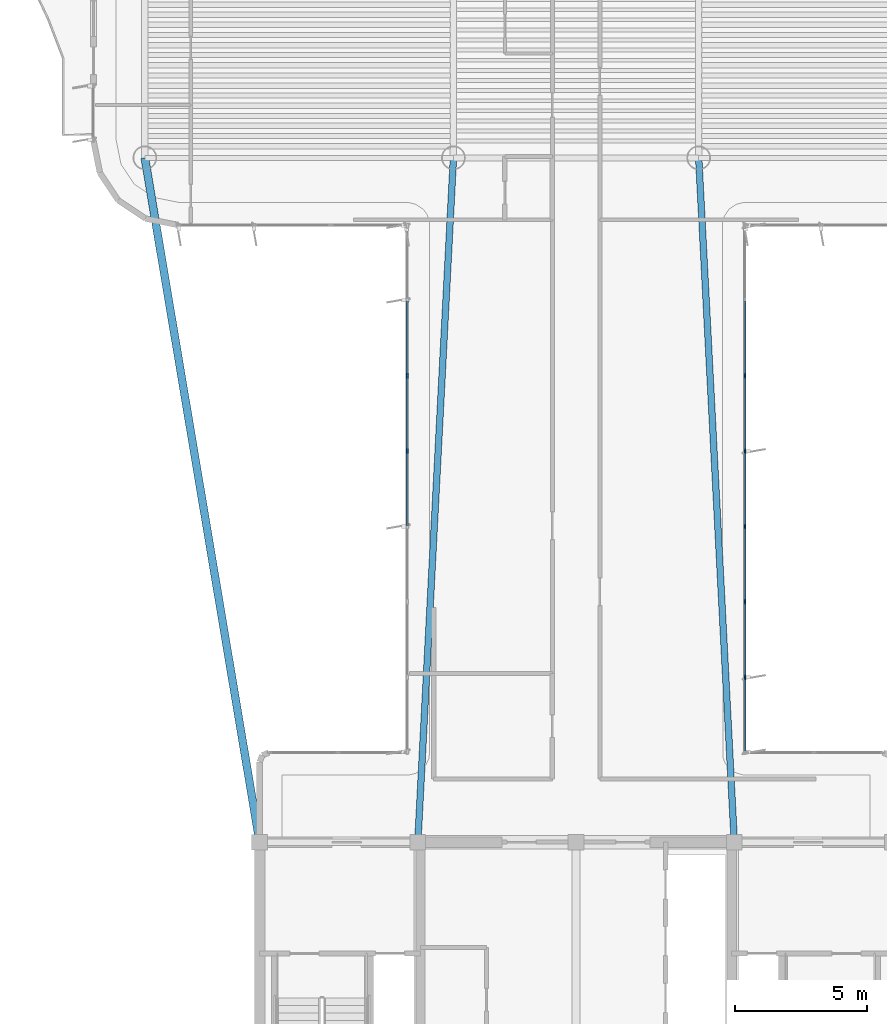
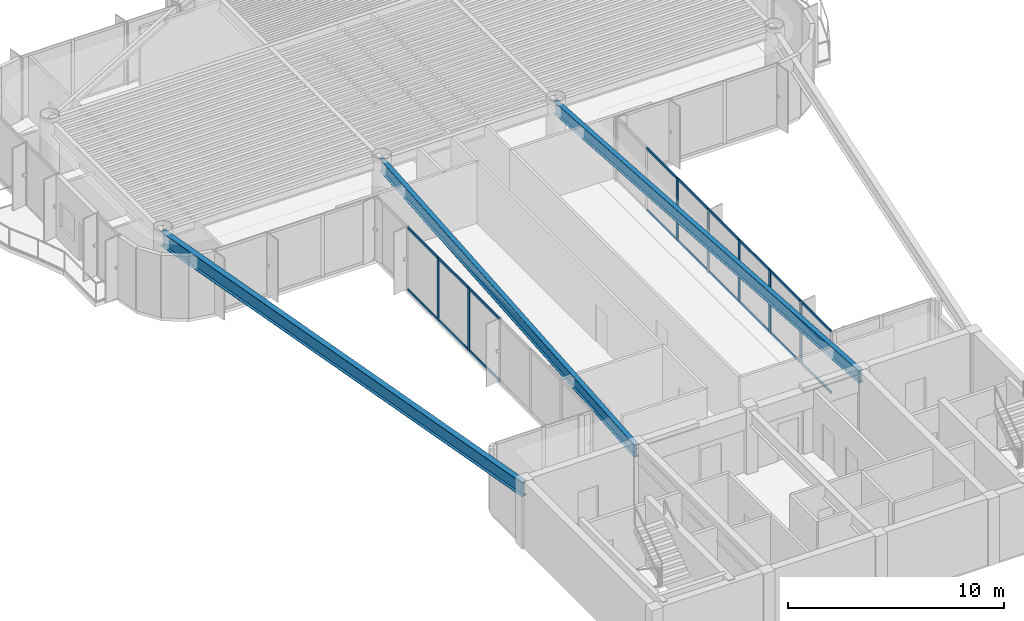
# One storey, part 3 of 15: 25 members, 3 beams, 2 elements without a shape of their own.
"""IFC4 building model written with IfcOpenShell, lengths in metres."""

from ifc_helpers import new_model, si_unit, direction, frame, origin, origin_2d, place, context, subcontext, project, spatial, rectangle, i_section, extrude, source, transform, mapped, material, layer, layer_set, material_profile, profile_set, type_object, element, aggregate, save


model = new_model("IFC4")

# Units and contexts
model_context = context("Model", 3, precision=1e-05, world=origin(), true_north=direction((0.0, 1.0)))
body_context = subcontext(model_context, "Body", "Model", "MODEL_VIEW")
ifc_project = project(units=[si_unit("LENGTHUNIT", "METRE"), si_unit("AREAUNIT", "SQUARE_METRE"), si_unit("VOLUMEUNIT", "CUBIC_METRE"), si_unit("PLANEANGLEUNIT", "RADIAN"), si_unit("MASSUNIT", "GRAM", prefix="KILO")], contexts=[model_context])

# Site, building, storey
site_placement = place(None, origin())
site = spatial("IfcSite", under=ifc_project, at=site_placement, CompositionType="ELEMENT")
building_placement = place(site_placement, origin())
building = spatial("IfcBuilding", under=site, at=building_placement, Name="Brelvock Crest Care Tower", CompositionType="ELEMENT")
storey_placement = place(building_placement, frame((0.0, 0.0, 279.719970703125)))
storey = spatial("IfcBuildingStorey", under=building, at=storey_placement, Name="L71", CompositionType="ELEMENT", Elevation=279.719970703125)

# Beams
ifc_material_1 = material(Name="Steel Grade 350", Category="steel")
ifc_material_profile_1 = material_profile(ifc_material_1, i_section(OverallWidth=0.25, OverallDepth=0.699951171875, WebThickness=0.011962890625, FlangeThickness=0.02001953125, at=origin_2d()), Name="700WB150")
ifc_profile_set_1 = profile_set([ifc_material_profile_1], Name="Steel Grade 350")
beam_type_1 = type_object("IfcBeamType", Name="BM-G4", PredefinedType="BEAM", material=ifc_profile_set_1)
shared_shape_1 = source(origin(), body_context, "Body", "SweptSolid", [
    extrude(i_section(OverallWidth=0.25, OverallDepth=0.699951171875, WebThickness=0.011962890625, FlangeThickness=0.02001953125, at=origin_2d()), origin(), (0.0, 0.0, 1.0), 25.985107421875),
])
for number, where, z_axis, x_axis, name in (
    (1, (30.0, 18.0, 3.179931640625), (0.051956711656, 0.998649337913, 0.0), (-0.998649337913, 0.051956711656, 0.0), "BM-THRW-L71"),
    (2, (42.0, 18.0, 3.179931640625), (-0.051956711656, 0.998649337913, 0.0), (-0.998649337913, -0.051956711656, 0.0), "BM-THRE-L71"),
):
    element("IfcBeam", number, at=place(storey_placement, frame(where, z_axis=z_axis, x_axis=x_axis)), inside=storey, type_object=beam_type_1, Name=name, PredefinedType="BEAM", context=body_context, shape_type="MappedRepresentation", body=[
        mapped(shared_shape_1, transform((0.0, 0.0, 0.0), x_axis=(1.0, 0.0, 0.0), y_axis=(0.0, 1.0, 0.0), z_axis=(0.0, 0.0, 1.0), scale=1.0)),
    ])
ifc_material_profile_2 = material_profile(ifc_material_1, i_section(OverallWidth=0.300048828125, OverallDepth=0.800048828125, WebThickness=0.013916015625, FlangeThickness=0.02197265625, at=origin_2d()), Name="800WB192")
ifc_profile_set_2 = profile_set([ifc_material_profile_2], Name="Steel Grade 350")
beam_type_2 = type_object("IfcBeamType", Name="BM-G5", PredefinedType="BEAM", material=ifc_profile_set_2)
shared_shape_2 = source(origin(), body_context, "Body", "SweptSolid", [
    extrude(i_section(OverallWidth=0.300048828125, OverallDepth=0.800048828125, WebThickness=0.013916015625, FlangeThickness=0.02197265625, at=origin_2d()), origin(), (0.0, 0.0, 1.0), 26.31201171875),
])
beam_placement = place(storey_placement, frame((24.0, 18.0, 3.130126953125), z_axis=(-0.165327282709, 0.986238758918, 0.0), x_axis=(-0.986238758918, -0.165327282709, 0.0)))
element("IfcBeam", 3, at=beam_placement, inside=storey, type_object=beam_type_2, Name="BM-THRO-W-L71", PredefinedType="BEAM", context=body_context, shape_type="MappedRepresentation", body=[
    mapped(shared_shape_2, transform((0.0, 0.0, 0.0), x_axis=(1.0, 0.0, 0.0), y_axis=(0.0, 1.0, 0.0), z_axis=(0.0, 0.0, 1.0), scale=1.0)),
])

# Curtain wall, members
ifc_material_2 = material(Name="Dark Glass Double Glazed Low-E", Category="glass")
ifc_layer = layer(ifc_material_2, 0.239990234375, Name="CWS-5")
ifc_layer_set = layer_set([ifc_layer], Name="Dark Glass Double Glazed Low-E")
curtain_wall_type = type_object("IfcCurtainWallType", Name="CWS-5", PredefinedType="NOTDEFINED", material=ifc_layer_set)
curtain_wall_1_placement = place(storey_placement, origin())
curtain_wall_1 = element("IfcCurtainWall", 4, at=curtain_wall_1_placement, inside=storey, type_object=curtain_wall_type, Name="L71 Curtain Wall E11", PredefinedType="NOTDEFINED")
ifc_material_3 = material(Name="Aluminium 6063-T6", Category="aluminium")
ifc_material_profile_3 = material_profile(ifc_material_3, rectangle(XDim=0.06005859375, YDim=0.179931640625, at=origin_2d()), Name="ALU60x180")
ifc_profile_set_3 = profile_set([ifc_material_profile_3], Name="Aluminium 6063-T6")
member_type_1 = type_object("IfcMemberType", Name="CWM-2", PredefinedType="MULLION", material=ifc_profile_set_3)
shared_shape_3 = source(origin(), body_context, "Body", "SweptSolid", [
    extrude(rectangle(XDim=0.06005859375, YDim=0.179931640625, at=origin_2d()), origin(), (0.0, 0.0, 1.0), 3.530029296875),
])
member_1_placement = place(storey_placement, frame((29.60009765625, 32.82861328125, 0.0), z_axis=(0.0, 0.0, 1.0), x_axis=(-1.0, 0.0, 0.0)))
member_1 = element("IfcMember", 5, at=member_1_placement, type_object=member_type_1, Name="CW-5 mullion 5", PredefinedType="MULLION", context=body_context, shape_type="MappedRepresentation", body=[
    mapped(shared_shape_3, transform((0.0, 0.0, 0.0), x_axis=(1.0, 0.0, 0.0), y_axis=(0.0, 1.0, 0.0), z_axis=(0.0, 0.0, 1.0), scale=1.0)),
])
member_2_placement = place(storey_placement, frame((29.60009765625, 35.685791015625, 0.0), z_axis=(0.0, 0.0, 1.0), x_axis=(-1.0, 0.0, 0.0)))
member_2 = element("IfcMember", 6, at=member_2_placement, type_object=member_type_1, Name="CW-5 mullion 6", PredefinedType="MULLION", context=body_context, shape_type="MappedRepresentation", body=[
    mapped(shared_shape_3, transform((0.0, 0.0, 0.0), x_axis=(1.0, 0.0, 0.0), y_axis=(0.0, 1.0, 0.0), z_axis=(0.0, 0.0, 1.0), scale=1.0)),
])

curtain_wall_2_placement = place(storey_placement, origin())
curtain_wall_2 = element("IfcCurtainWall", 7, at=curtain_wall_2_placement, inside=storey, type_object=curtain_wall_type, Name="L71 Curtain Wall E45", PredefinedType="NOTDEFINED")
member_3_placement = place(storey_placement, frame((42.39990234375, 35.685791015625, 0.0), z_axis=(0.0, 0.0, 1.0), x_axis=(1.0, 0.0, 0.0)))
member_3 = element("IfcMember", 8, at=member_3_placement, type_object=member_type_1, Name="CW-5 mullion 3", PredefinedType="MULLION", context=body_context, shape_type="MappedRepresentation", body=[
    mapped(shared_shape_3, transform((0.0, 0.0, 0.0), x_axis=(1.0, 0.0, 0.0), y_axis=(0.0, 1.0, 0.0), z_axis=(0.0, 0.0, 1.0), scale=1.0)),
])
member_4_placement = place(storey_placement, frame((42.39990234375, 32.82861328125, 0.0), z_axis=(0.0, 0.0, 1.0), x_axis=(1.0, 0.0, 0.0)))
member_4 = element("IfcMember", 9, at=member_4_placement, type_object=member_type_1, Name="CW-5 mullion 4", PredefinedType="MULLION", context=body_context, shape_type="MappedRepresentation", body=[
    mapped(shared_shape_3, transform((0.0, 0.0, 0.0), x_axis=(1.0, 0.0, 0.0), y_axis=(0.0, 1.0, 0.0), z_axis=(0.0, 0.0, 1.0), scale=1.0)),
])
member_5_placement = place(storey_placement, frame((42.39990234375, 29.971435546875, 0.0), z_axis=(0.0, 0.0, 1.0), x_axis=(1.0, 0.0, 0.0)))
member_5 = element("IfcMember", 10, at=member_5_placement, type_object=member_type_1, Name="CW-5 mullion 5", PredefinedType="MULLION", context=body_context, shape_type="MappedRepresentation", body=[
    mapped(shared_shape_3, transform((0.0, 0.0, 0.0), x_axis=(1.0, 0.0, 0.0), y_axis=(0.0, 1.0, 0.0), z_axis=(0.0, 0.0, 1.0), scale=1.0)),
])
member_6_placement = place(storey_placement, frame((42.39990234375, 27.1142578125, 0.0), z_axis=(0.0, 0.0, 1.0), x_axis=(1.0, 0.0, 0.0)))
member_6 = element("IfcMember", 11, at=member_6_placement, type_object=member_type_1, Name="CW-5 mullion 6", PredefinedType="MULLION", context=body_context, shape_type="MappedRepresentation", body=[
    mapped(shared_shape_3, transform((0.0, 0.0, 0.0), x_axis=(1.0, 0.0, 0.0), y_axis=(0.0, 1.0, 0.0), z_axis=(0.0, 0.0, 1.0), scale=1.0)),
])
member_7_placement = place(storey_placement, frame((42.39990234375, 24.257080078125, 0.0), z_axis=(0.0, 0.0, 1.0), x_axis=(1.0, 0.0, 0.0)))
member_7 = element("IfcMember", 12, at=member_7_placement, type_object=member_type_1, Name="CW-5 mullion 7", PredefinedType="MULLION", context=body_context, shape_type="MappedRepresentation", body=[
    mapped(shared_shape_3, transform((0.0, 0.0, 0.0), x_axis=(1.0, 0.0, 0.0), y_axis=(0.0, 1.0, 0.0), z_axis=(0.0, 0.0, 1.0), scale=1.0)),
])
ifc_material_profile_4 = material_profile(ifc_material_3, rectangle(XDim=0.06005859375, YDim=0.139892578125, at=origin_2d()), Name="ALU60x140")
ifc_profile_set_4 = profile_set([ifc_material_profile_4], Name="Aluminium 6063-T6")
member_type_2 = type_object("IfcMemberType", Name="CWT-2", PredefinedType="USERDEFINED", material=ifc_profile_set_4)
shared_shape_4 = source(origin(), body_context, "Body", "SweptSolid", [
    extrude(rectangle(XDim=0.06005859375, YDim=0.139892578125, at=origin_2d()), origin(), (0.0, 0.0, 1.0), 2.76708984375),
])
member_8_placement = place(storey_placement, frame((42.39990234375, 24.22705078125, 0.030029296875), z_axis=(0.0, -1.0, 0.0), x_axis=(1.0, 0.0, 0.0)))
member_8 = element("IfcMember", 13, at=member_8_placement, type_object=member_type_2, Name="CW-5 transom 7.1", ObjectType="TRANSOM", PredefinedType="USERDEFINED", context=body_context, shape_type="MappedRepresentation", body=[
    mapped(shared_shape_4, transform((0.0, 0.0, 0.0), x_axis=(1.0, 0.0, 0.0), y_axis=(0.0, 1.0, 0.0), z_axis=(0.0, 0.0, 1.0), scale=1.0)),
])
member_9_placement = place(storey_placement, frame((42.39990234375, 24.22705078125, 3.5), z_axis=(0.0, -1.0, 0.0), x_axis=(1.0, 0.0, 0.0)))
member_9 = element("IfcMember", 14, at=member_9_placement, type_object=member_type_2, Name="CW-5 transom 7.2", ObjectType="TRANSOM", PredefinedType="USERDEFINED", context=body_context, shape_type="MappedRepresentation", body=[
    mapped(shared_shape_4, transform((0.0, 0.0, 0.0), x_axis=(1.0, 0.0, 0.0), y_axis=(0.0, 1.0, 0.0), z_axis=(0.0, 0.0, 1.0), scale=1.0)),
])

# Member
shared_shape_5 = source(origin(), body_context, "Body", "SweptSolid", [
    extrude(rectangle(XDim=0.06005859375, YDim=0.139892578125, at=origin_2d()), origin(), (0.0, 0.0, 1.0), 2.797119140625),
])
member_10_placement = place(storey_placement, frame((29.60009765625, 30.00146484375, 0.030029296875), z_axis=(0.0, 1.0, 0.0), x_axis=(-1.0, 0.0, 0.0)))
member_10 = element("IfcMember", 15, at=member_10_placement, type_object=member_type_2, Name="CW-5 transom 4.1", ObjectType="TRANSOM", PredefinedType="USERDEFINED", context=body_context, shape_type="MappedRepresentation", body=[
    mapped(shared_shape_5, transform((0.0, 0.0, 0.0), x_axis=(1.0, 0.0, 0.0), y_axis=(0.0, 1.0, 0.0), z_axis=(0.0, 0.0, 1.0), scale=1.0)),
])

member_11_placement = place(storey_placement, frame((29.60009765625, 30.00146484375, 3.5), z_axis=(0.0, 1.0, 0.0), x_axis=(-1.0, 0.0, 0.0)))
member_11 = element("IfcMember", 16, at=member_11_placement, type_object=member_type_2, Name="CW-5 transom 4.2", ObjectType="TRANSOM", PredefinedType="USERDEFINED", context=body_context, shape_type="MappedRepresentation", body=[
    mapped(shared_shape_5, transform((0.0, 0.0, 0.0), x_axis=(1.0, 0.0, 0.0), y_axis=(0.0, 1.0, 0.0), z_axis=(0.0, 0.0, 1.0), scale=1.0)),
])

member_12_placement = place(storey_placement, frame((29.60009765625, 32.858642578125, 0.030029296875), z_axis=(0.0, 1.0, 0.0), x_axis=(-1.0, 0.0, 0.0)))
member_12 = element("IfcMember", 17, at=member_12_placement, type_object=member_type_2, Name="CW-5 transom 5.1", ObjectType="TRANSOM", PredefinedType="USERDEFINED", context=body_context, shape_type="MappedRepresentation", body=[
    mapped(shared_shape_5, transform((0.0, 0.0, 0.0), x_axis=(1.0, 0.0, 0.0), y_axis=(0.0, 1.0, 0.0), z_axis=(0.0, 0.0, 1.0), scale=1.0)),
])

member_13_placement = place(storey_placement, frame((29.60009765625, 32.858642578125, 3.5), z_axis=(0.0, 1.0, 0.0), x_axis=(-1.0, 0.0, 0.0)))
member_13 = element("IfcMember", 18, at=member_13_placement, type_object=member_type_2, Name="CW-5 transom 5.2", ObjectType="TRANSOM", PredefinedType="USERDEFINED", context=body_context, shape_type="MappedRepresentation", body=[
    mapped(shared_shape_5, transform((0.0, 0.0, 0.0), x_axis=(1.0, 0.0, 0.0), y_axis=(0.0, 1.0, 0.0), z_axis=(0.0, 0.0, 1.0), scale=1.0)),
])

member_14_placement = place(storey_placement, frame((29.60009765625, 35.7158203125, 0.030029296875), z_axis=(0.0, 1.0, 0.0), x_axis=(-1.0, 0.0, 0.0)))
member_14 = element("IfcMember", 19, at=member_14_placement, type_object=member_type_2, Name="CW-5 transom 6.1", ObjectType="TRANSOM", PredefinedType="USERDEFINED", context=body_context, shape_type="MappedRepresentation", body=[
    mapped(shared_shape_5, transform((0.0, 0.0, 0.0), x_axis=(1.0, 0.0, 0.0), y_axis=(0.0, 1.0, 0.0), z_axis=(0.0, 0.0, 1.0), scale=1.0)),
])

member_15_placement = place(storey_placement, frame((29.60009765625, 35.7158203125, 3.5), z_axis=(0.0, 1.0, 0.0), x_axis=(-1.0, 0.0, 0.0)))
member_15 = element("IfcMember", 20, at=member_15_placement, type_object=member_type_2, Name="CW-5 transom 6.2", ObjectType="TRANSOM", PredefinedType="USERDEFINED", context=body_context, shape_type="MappedRepresentation", body=[
    mapped(shared_shape_5, transform((0.0, 0.0, 0.0), x_axis=(1.0, 0.0, 0.0), y_axis=(0.0, 1.0, 0.0), z_axis=(0.0, 0.0, 1.0), scale=1.0)),
])

aggregate(curtain_wall_1, [member_1, member_2, member_10, member_11, member_12, member_13, member_14, member_15])

member_16_placement = place(storey_placement, frame((42.39990234375, 38.512939453125, 0.030029296875), z_axis=(0.0, -1.0, 0.0), x_axis=(1.0, 0.0, 0.0)))
member_16 = element("IfcMember", 21, at=member_16_placement, type_object=member_type_2, Name="CW-5 transom 2.1", ObjectType="TRANSOM", PredefinedType="USERDEFINED", context=body_context, shape_type="MappedRepresentation", body=[
    mapped(shared_shape_5, transform((0.0, 0.0, 0.0), x_axis=(1.0, 0.0, 0.0), y_axis=(0.0, 1.0, 0.0), z_axis=(0.0, 0.0, 1.0), scale=1.0)),
])

member_17_placement = place(storey_placement, frame((42.39990234375, 38.512939453125, 3.5), z_axis=(0.0, -1.0, 0.0), x_axis=(1.0, 0.0, 0.0)))
member_17 = element("IfcMember", 22, at=member_17_placement, type_object=member_type_2, Name="CW-5 transom 2.2", ObjectType="TRANSOM", PredefinedType="USERDEFINED", context=body_context, shape_type="MappedRepresentation", body=[
    mapped(shared_shape_5, transform((0.0, 0.0, 0.0), x_axis=(1.0, 0.0, 0.0), y_axis=(0.0, 1.0, 0.0), z_axis=(0.0, 0.0, 1.0), scale=1.0)),
])

member_18_placement = place(storey_placement, frame((42.39990234375, 35.65576171875, 0.030029296875), z_axis=(0.0, -1.0, 0.0), x_axis=(1.0, 0.0, 0.0)))
member_18 = element("IfcMember", 23, at=member_18_placement, type_object=member_type_2, Name="CW-5 transom 3.1", ObjectType="TRANSOM", PredefinedType="USERDEFINED", context=body_context, shape_type="MappedRepresentation", body=[
    mapped(shared_shape_5, transform((0.0, 0.0, 0.0), x_axis=(1.0, 0.0, 0.0), y_axis=(0.0, 1.0, 0.0), z_axis=(0.0, 0.0, 1.0), scale=1.0)),
])

member_19_placement = place(storey_placement, frame((42.39990234375, 35.65576171875, 3.5), z_axis=(0.0, -1.0, 0.0), x_axis=(1.0, 0.0, 0.0)))
member_19 = element("IfcMember", 24, at=member_19_placement, type_object=member_type_2, Name="CW-5 transom 3.2", ObjectType="TRANSOM", PredefinedType="USERDEFINED", context=body_context, shape_type="MappedRepresentation", body=[
    mapped(shared_shape_5, transform((0.0, 0.0, 0.0), x_axis=(1.0, 0.0, 0.0), y_axis=(0.0, 1.0, 0.0), z_axis=(0.0, 0.0, 1.0), scale=1.0)),
])

member_20_placement = place(storey_placement, frame((42.39990234375, 32.798583984375, 0.030029296875), z_axis=(0.0, -1.0, 0.0), x_axis=(1.0, 0.0, 0.0)))
member_20 = element("IfcMember", 25, at=member_20_placement, type_object=member_type_2, Name="CW-5 transom 4.1", ObjectType="TRANSOM", PredefinedType="USERDEFINED", context=body_context, shape_type="MappedRepresentation", body=[
    mapped(shared_shape_5, transform((0.0, 0.0, 0.0), x_axis=(1.0, 0.0, 0.0), y_axis=(0.0, 1.0, 0.0), z_axis=(0.0, 0.0, 1.0), scale=1.0)),
])

member_21_placement = place(storey_placement, frame((42.39990234375, 32.798583984375, 3.5), z_axis=(0.0, -1.0, 0.0), x_axis=(1.0, 0.0, 0.0)))
member_21 = element("IfcMember", 26, at=member_21_placement, type_object=member_type_2, Name="CW-5 transom 4.2", ObjectType="TRANSOM", PredefinedType="USERDEFINED", context=body_context, shape_type="MappedRepresentation", body=[
    mapped(shared_shape_5, transform((0.0, 0.0, 0.0), x_axis=(1.0, 0.0, 0.0), y_axis=(0.0, 1.0, 0.0), z_axis=(0.0, 0.0, 1.0), scale=1.0)),
])

member_22_placement = place(storey_placement, frame((42.39990234375, 29.94140625, 0.030029296875), z_axis=(0.0, -1.0, 0.0), x_axis=(1.0, 0.0, 0.0)))
member_22 = element("IfcMember", 27, at=member_22_placement, type_object=member_type_2, Name="CW-5 transom 5.1", ObjectType="TRANSOM", PredefinedType="USERDEFINED", context=body_context, shape_type="MappedRepresentation", body=[
    mapped(shared_shape_5, transform((0.0, 0.0, 0.0), x_axis=(1.0, 0.0, 0.0), y_axis=(0.0, 1.0, 0.0), z_axis=(0.0, 0.0, 1.0), scale=1.0)),
])

member_23_placement = place(storey_placement, frame((42.39990234375, 29.94140625, 3.5), z_axis=(0.0, -1.0, 0.0), x_axis=(1.0, 0.0, 0.0)))
member_23 = element("IfcMember", 28, at=member_23_placement, type_object=member_type_2, Name="CW-5 transom 5.2", ObjectType="TRANSOM", PredefinedType="USERDEFINED", context=body_context, shape_type="MappedRepresentation", body=[
    mapped(shared_shape_5, transform((0.0, 0.0, 0.0), x_axis=(1.0, 0.0, 0.0), y_axis=(0.0, 1.0, 0.0), z_axis=(0.0, 0.0, 1.0), scale=1.0)),
])

member_24_placement = place(storey_placement, frame((42.39990234375, 27.084228515625, 0.030029296875), z_axis=(0.0, -1.0, 0.0), x_axis=(1.0, 0.0, 0.0)))
member_24 = element("IfcMember", 29, at=member_24_placement, type_object=member_type_2, Name="CW-5 transom 6.1", ObjectType="TRANSOM", PredefinedType="USERDEFINED", context=body_context, shape_type="MappedRepresentation", body=[
    mapped(shared_shape_5, transform((0.0, 0.0, 0.0), x_axis=(1.0, 0.0, 0.0), y_axis=(0.0, 1.0, 0.0), z_axis=(0.0, 0.0, 1.0), scale=1.0)),
])

member_25_placement = place(storey_placement, frame((42.39990234375, 27.084228515625, 3.5), z_axis=(0.0, -1.0, 0.0), x_axis=(1.0, 0.0, 0.0)))
member_25 = element("IfcMember", 30, at=member_25_placement, type_object=member_type_2, Name="CW-5 transom 6.2", ObjectType="TRANSOM", PredefinedType="USERDEFINED", context=body_context, shape_type="MappedRepresentation", body=[
    mapped(shared_shape_5, transform((0.0, 0.0, 0.0), x_axis=(1.0, 0.0, 0.0), y_axis=(0.0, 1.0, 0.0), z_axis=(0.0, 0.0, 1.0), scale=1.0)),
])

aggregate(curtain_wall_2, [member_3, member_4, member_5, member_6, member_7, member_16, member_17, member_18, member_19, member_20, member_21, member_22, member_23, member_24, member_25, member_8, member_9])

save(model, "model.ifc")
